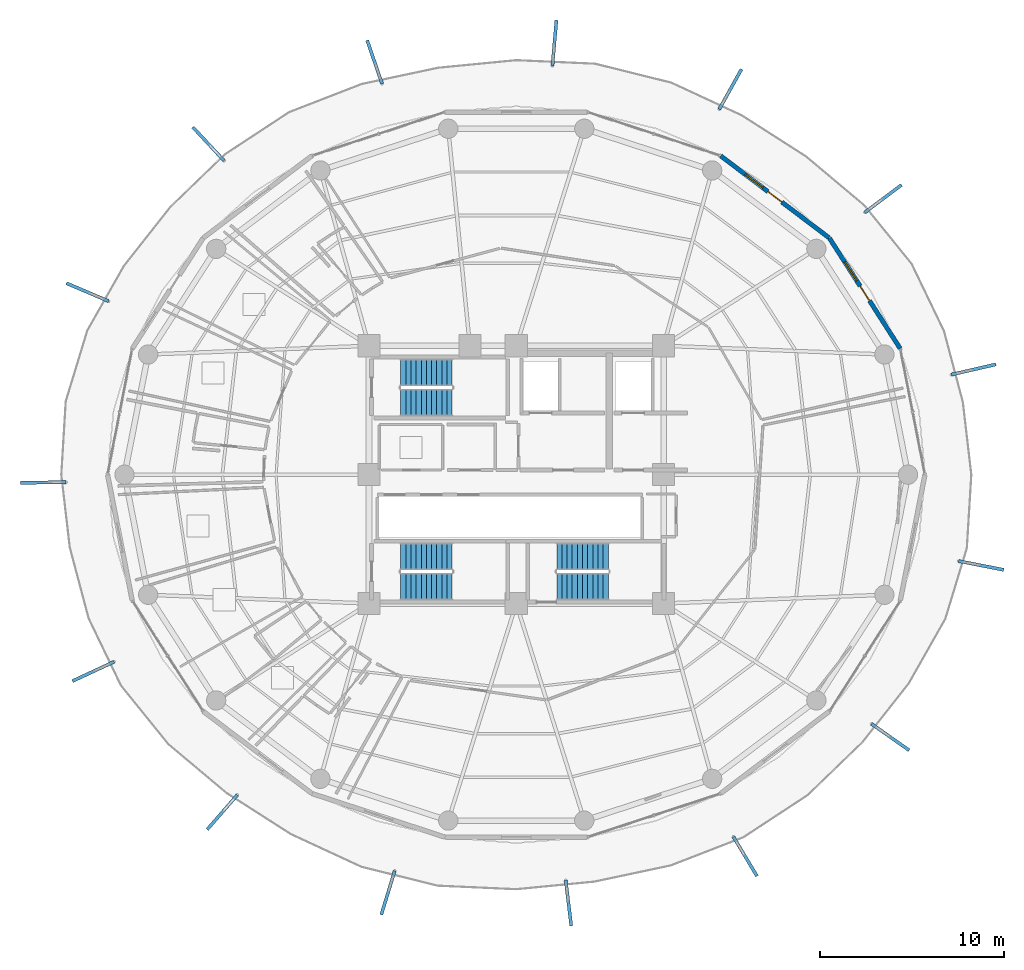
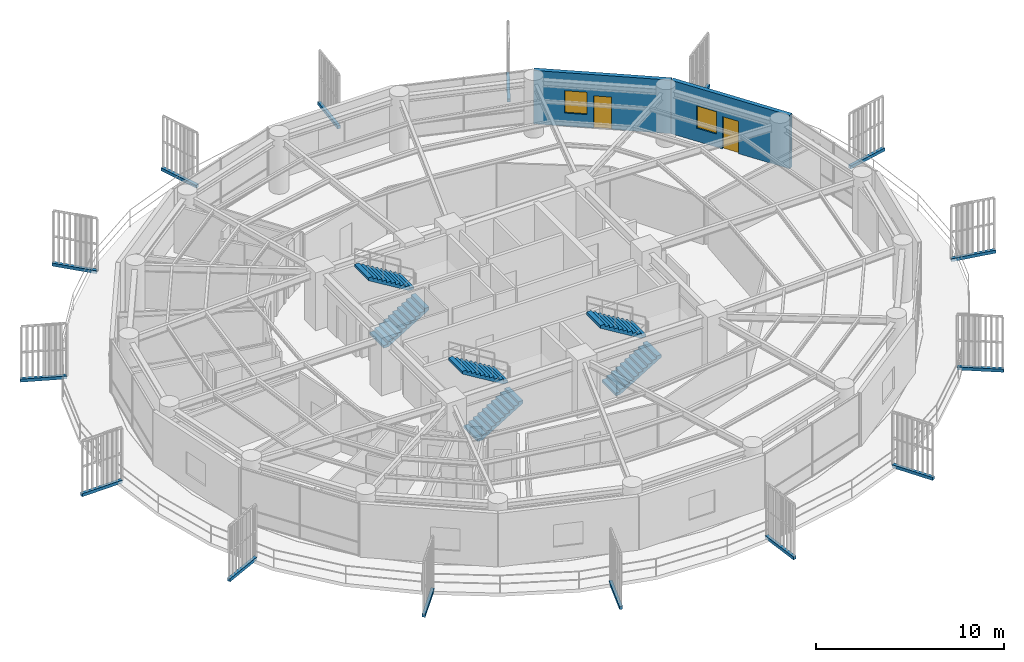
# One storey, part 27 of 31: 15 discrete accessories, 6 stair flights, 2 doors, 2 walls, 2 windows, 4 openings, 3 elements without a shape of their own.
"""IFC4 building model written with IfcOpenShell, lengths in metres."""

import ifcopenshell
import ifcopenshell.guid

model = None  # the IFC model being written
_history = None  # IfcOwnerHistory: only IFC2X3 demands one
_inside = {}  # id of a spatial element -> (the spatial element, [elements in it])
_under = {}  # id of a project, library or spatial element -> (it, [spatial elements below it])
_declared = {}  # id of a project -> (the project, [libraries it declares])
_typed = {}  # id of a type object -> (the type object, [elements of that type])
_made_of = {}  # id of a material, layer set ... -> (it, [elements and type objects made of it])


def new_model(schema):
    """Start an empty IFC model of exactly this schema.

    Asked for "IFC4X3", IfcOpenShell would pick the latest addendum, in which some entities
    have other attributes; the version numbers below select the first issue.
    IFC2X3 requires an IfcOwnerHistory on every rooted entity: one is made here for all.
    """
    global model, _history
    if schema == "IFC4X3":
        model = ifcopenshell.file(schema_version=(4, 3, 0, 0))
    else:
        model = ifcopenshell.file(schema=schema)
    _inside.clear()
    _under.clear()
    _declared.clear()
    _typed.clear()
    _made_of.clear()
    _history = None
    if model.schema == "IFC2X3":
        org = make("IfcOrganization", Name="unknown")
        user = make(
            "IfcPersonAndOrganization",
            ThePerson=make("IfcPerson", FamilyName="unknown"),
            TheOrganization=org,
        )
        app = make(
            "IfcApplication",
            ApplicationDeveloper=org,
            Version="unknown",
            ApplicationFullName="unknown",
            ApplicationIdentifier="unknown",
        )
        _history = make(
            "IfcOwnerHistory",
            OwningUser=user,
            OwningApplication=app,
            ChangeAction="ADDED",
            CreationDate=0,
        )
    return model


def make(cls, **values):
    """One entity of the class cls with the attributes given. An attribute that is None is left unset."""
    return model.create_entity(
        cls, **{name: value for name, value in values.items() if value is not None}
    )


def rooted(cls, **values):
    """An entity with a GlobalId (a new one), such as an element, a storey or a relation."""
    return make(cls, GlobalId=ifcopenshell.guid.new(), OwnerHistory=_history, **values)


def si_unit(unit_type, name, prefix=None):
    """IfcSIUnit, for example si_unit("LENGTHUNIT", "METRE", prefix="MILLI")."""
    return make("IfcSIUnit", UnitType=unit_type, Prefix=prefix, Name=name)


def assignment(units):
    """IfcUnitAssignment: the units of a project."""
    return None if units is None else make("IfcUnitAssignment", Units=units)


def point(xyz):
    """IfcCartesianPoint."""
    return None if xyz is None else make("IfcCartesianPoint", Coordinates=xyz)


def direction(xyz):
    """IfcDirection."""
    return None if xyz is None else make("IfcDirection", DirectionRatios=xyz)


def frame(location, z_axis=None, x_axis=None):
    """IfcAxis2Placement3D, a coordinate frame: its origin and axes. An axis left out is left unset."""
    return make(
        "IfcAxis2Placement3D",
        Location=point(location),
        Axis=direction(z_axis),
        RefDirection=direction(x_axis),
    )


def frame_2d(location, x_axis=None):
    """IfcAxis2Placement2D, a coordinate frame in the plane: its origin and x axis."""
    return make(
        "IfcAxis2Placement2D", Location=point(location), RefDirection=direction(x_axis)
    )


def origin():
    """The frame at (0, 0, 0) with its axes left unset."""
    return frame((0.0, 0.0, 0.0))


def origin_2d():
    """The frame at (0, 0) in the plane with its x axis left unset."""
    return frame_2d((0.0, 0.0))


def place(relative_to, where):
    """IfcLocalPlacement: puts the frame where relative to a parent placement (None: the world)."""
    return make(
        "IfcLocalPlacement", PlacementRelTo=relative_to, RelativePlacement=where
    )


def context(
    kind, dimensions, precision=None, world=None, true_north=None, identifier=None
):
    """IfcGeometricRepresentationContext, for example the 3D "Model" context."""
    return make(
        "IfcGeometricRepresentationContext",
        ContextIdentifier=identifier,
        ContextType=kind,
        CoordinateSpaceDimension=dimensions,
        Precision=precision,
        WorldCoordinateSystem=world,
        TrueNorth=true_north,
    )


def subcontext(parent, identifier, kind, view, scale=None):
    """IfcGeometricRepresentationSubContext, for example "Body" below "Model"."""
    return make(
        "IfcGeometricRepresentationSubContext",
        ContextIdentifier=identifier,
        ContextType=kind,
        ParentContext=parent,
        TargetScale=scale,
        TargetView=view,
    )


def project(units=None, contexts=None):
    """IfcProject with its units and contexts."""
    return rooted(
        "IfcProject",
        Name="project",
        RepresentationContexts=contexts,
        UnitsInContext=assignment(units),
    )


def spatial(cls, under=None, at=None, **own):
    """A site, building, storey or space (cls), placed at a placement, below another one or the project."""
    s = rooted(cls, ObjectPlacement=at, **own)
    if under is not None:
        _under.setdefault(under.id(), (under, []))[1].append(s)
    return s


def polyline(points):
    """IfcPolyline through the points."""
    return make("IfcPolyline", Points=[point(p) for p in points])


def profile(cls, at=None, kind="AREA", **sizes):
    """A parametric profile (cls). Its sizes go by their IFC names, for example OverallWidth=200.0."""
    return make(cls, ProfileType=kind, Position=at, **sizes)


def rectangle(**sizes):
    """IfcRectangleProfileDef."""
    return profile("IfcRectangleProfileDef", **sizes)


def outline(outer, holes=None, kind="AREA"):
    """IfcArbitraryClosedProfileDef: a profile drawn as a closed curve; with holes, ...WithVoids."""
    if holes is None:
        return make("IfcArbitraryClosedProfileDef", ProfileType=kind, OuterCurve=outer)
    return make(
        "IfcArbitraryProfileDefWithVoids",
        ProfileType=kind,
        OuterCurve=outer,
        InnerCurves=holes,
    )


def extrude(swept, where, along, depth):
    """IfcExtrudedAreaSolid: the profile swept, set in the frame where, extruded along a direction by depth."""
    return make(
        "IfcExtrudedAreaSolid",
        SweptArea=swept,
        Position=where,
        ExtrudedDirection=direction(along),
        Depth=depth,
    )


def shape(context_of_items, identifier, shape_type, items):
    """IfcShapeRepresentation: the items that make up one representation, for example the "Body"."""
    return make(
        "IfcShapeRepresentation",
        ContextOfItems=context_of_items,
        RepresentationIdentifier=identifier,
        RepresentationType=shape_type,
        Items=items,
    )


def source(mapping_origin, context_of_items, identifier, shape_type, items):
    """IfcRepresentationMap: a shape defined once, which mapped items show again and again."""
    return make(
        "IfcRepresentationMap",
        MappingOrigin=mapping_origin,
        MappedRepresentation=shape(context_of_items, identifier, shape_type, items),
    )


def transform(
    local_origin,
    x_axis=None,
    y_axis=None,
    z_axis=None,
    scale=None,
    scale2=None,
    scale3=None,
    uniform=True,
):
    """IfcCartesianTransformationOperator3D, or its non-uniform kind. x_axis, y_axis, z_axis: its Axis1, 2, 3."""
    if uniform:
        return make(
            "IfcCartesianTransformationOperator3D",
            Axis1=direction(x_axis),
            Axis2=direction(y_axis),
            LocalOrigin=point(local_origin),
            Scale=scale,
            Axis3=direction(z_axis),
        )
    return make(
        "IfcCartesianTransformationOperator3DnonUniform",
        Axis1=direction(x_axis),
        Axis2=direction(y_axis),
        LocalOrigin=point(local_origin),
        Scale=scale,
        Axis3=direction(z_axis),
        Scale2=scale2,
        Scale3=scale3,
    )


def mapped(mapping_source, mapping_target):
    """IfcMappedItem: shows the shape of a source again, moved by a transform."""
    return make(
        "IfcMappedItem", MappingSource=mapping_source, MappingTarget=mapping_target
    )


def material(Name=None, Category=None):
    """IfcMaterial."""
    return make("IfcMaterial", Name=Name, Category=Category)


def layer(
    of_material, thickness, ventilated=None, Name=None, Category=None, Priority=None
):
    """IfcMaterialLayer: one layer of a wall or slab, of a material (None: an air gap)."""
    return make(
        "IfcMaterialLayer",
        Material=of_material,
        LayerThickness=thickness,
        IsVentilated=ventilated,
        Name=Name,
        Category=Category,
        Priority=Priority,
    )


def layer_set(layers, Name=None):
    """IfcMaterialLayerSet."""
    return make("IfcMaterialLayerSet", MaterialLayers=layers, LayerSetName=Name)


def made_of(thing, what):
    """Note that an element or type object is made of a material, layer set ...; save() writes the relation."""
    if what is not None:
        _made_of.setdefault(what.id(), (what, []))[1].append(thing)
    return thing


def type_object(cls, material=None, **own):
    """A type object (cls), such as IfcWallType, which elements share."""
    return made_of(rooted(cls, **own), material)


def element(
    cls,
    number,
    at=None,
    inside=None,
    cuts=None,
    type_object=None,
    material=None,
    context=None,
    identifier="Body",
    shape_type=None,
    held_by="IfcProductDefinitionShape",
    body=None,
    shapes=None,
    **own,
):
    """One element of the class cls, such as IfcWall. Its Tag is "e" and its number.

    at: its placement. inside: the storey or other place that contains it. cuts: it is an
    opening in that element (IfcRelVoidsElement). A single representation is given by context,
    identifier, shape_type and body (its items); several are given by shapes. held_by: the class
    of the entity that holds the representations. save() writes the other relations.
    """
    e = rooted(cls, Tag="e%d" % number, ObjectPlacement=at, **own)
    if body is not None:
        shapes = [shape(context, identifier, shape_type, body)]
    if shapes is not None:
        e.Representation = make(held_by, Representations=shapes)
    if inside is not None:
        _inside.setdefault(inside.id(), (inside, []))[1].append(e)
    if cuts is not None:
        rooted(
            "IfcRelVoidsElement", RelatingBuildingElement=cuts, RelatedOpeningElement=e
        )
    if type_object is not None:
        _typed.setdefault(type_object.id(), (type_object, []))[1].append(e)
    return made_of(e, material)


def fill(opening, filler):
    """IfcRelFillsElement: the door or window that sits in an opening."""
    return rooted(
        "IfcRelFillsElement",
        RelatingOpeningElement=opening,
        RelatedBuildingElement=filler,
    )


def aggregate(whole, parts):
    """IfcRelAggregates: a whole, such as a stair, and the parts it consists of."""
    return rooted("IfcRelAggregates", RelatingObject=whole, RelatedObjects=parts)


def save(model, path):
    """Write the relations noted so far, then the file.

    IfcRelAggregates (storeys below a building ...), IfcRelContainedInSpatialStructure (elements
    in a storey), IfcRelDefinesByType, IfcRelAssociatesMaterial and IfcRelDeclares: one each for
    every whole, place, type object, material and project.
    """
    for whole, parts in _under.values():
        aggregate(whole, parts)
    for where, things in _inside.values():
        rooted(
            "IfcRelContainedInSpatialStructure",
            RelatedElements=things,
            RelatingStructure=where,
        )
    for kind, things in _typed.values():
        rooted("IfcRelDefinesByType", RelatedObjects=things, RelatingType=kind)
    for what, things in _made_of.values():
        rooted("IfcRelAssociatesMaterial", RelatedObjects=things, RelatingMaterial=what)
    for by, libraries in _declared.values():
        rooted("IfcRelDeclares", RelatingContext=by, RelatedDefinitions=libraries)
    model.write(path)


model = new_model("IFC4")

# Units and contexts
model_context = context("Model", 3, precision=1e-05, world=origin(), true_north=direction((0.0, 1.0)))
body_context = subcontext(model_context, "Body", "Model", "MODEL_VIEW")
ifc_project = project(units=[si_unit("LENGTHUNIT", "METRE"), si_unit("AREAUNIT", "SQUARE_METRE"), si_unit("VOLUMEUNIT", "CUBIC_METRE"), si_unit("PLANEANGLEUNIT", "RADIAN"), si_unit("MASSUNIT", "GRAM", prefix="KILO")], contexts=[model_context])

# Site, building, storey
site_placement = place(None, origin())
site = spatial("IfcSite", under=ifc_project, at=site_placement, CompositionType="ELEMENT")
building_placement = place(site_placement, origin())
building = spatial("IfcBuilding", under=site, at=building_placement, Name="Kelanora Arch Commons", CompositionType="ELEMENT")
storey_placement = place(building_placement, frame((0.0, 0.0, 200.699951171875)))
storey = spatial("IfcBuildingStorey", under=building, at=storey_placement, Name="L51", CompositionType="ELEMENT", Elevation=200.699951171875)

# Wall, openings, door, window
ifc_material_1 = material(Name="Precast concrete C40/50 upper-zone terracotta rainscreen", Category="masonry")
ifc_layer = layer(ifc_material_1, 0.239990234375)
ifc_layer_set = layer_set([ifc_layer], Name="Precast concrete C40/50 upper-zone terracotta rainscreen")
wall_type = type_object("IfcWallType", Name="W-EXT-TC2", PredefinedType="SOLIDWALL", material=ifc_layer_set)
wall_1_placement = place(storey_placement, frame((94.85302734375, 64.85302734375, 0.0), z_axis=(0.0, 0.0, 1.0), x_axis=(-0.539539512973, 0.841960280501, 0.0)))
wall_1 = element("IfcWall", 1, at=wall_1_placement, inside=storey, type_object=wall_type, Name="Terracotta Exterior Wall L51-B01", PredefinedType="SOLIDWALL", context=body_context, shape_type="SweptSolid", body=[
    extrude(rectangle(XDim=7.11474609375, YDim=0.239990234375, at=frame_2d((3.557373046875, 0.0))), origin(), (0.0, 0.0, 1.0), 3.47509765625),
])
opening_1_placement = place(wall_1_placement, frame((3.08203125, 0.0, 0.0)))
opening_1 = element("IfcOpeningElement", 2, at=opening_1_placement, cuts=wall_1, Name="Opening DB-01", PredefinedType="OPENING", context=body_context, shape_type="SweptSolid", body=[
    extrude(rectangle(XDim=0.949951171875, YDim=2.10009765625, at=frame_2d((0.47509765625, 1.050048828125))), frame((0.0, 0.1298828125, 0.0), z_axis=(0.0, -1.0, 0.0), x_axis=(1.0, 0.0, 0.0)), (0.0, 0.0, 1.0), 0.260009765625),
])
opening_2_placement = place(wall_1_placement, frame((4.382080078125, 0.0, 0.85009765625)))
opening_2 = element("IfcOpeningElement", 3, at=opening_2_placement, cuts=wall_1, Name="Opening WN-02", PredefinedType="OPENING", context=body_context, shape_type="SweptSolid", body=[
    extrude(rectangle(XDim=1.199951171875, YDim=1.449951171875, at=frame_2d((0.60009765625, 0.72509765625))), frame((0.0, 0.1298828125, 0.0), z_axis=(0.0, -1.0, 0.0), x_axis=(1.0, 0.0, 0.0)), (0.0, 0.0, 1.0), 0.260009765625),
])
ifc_material_2 = material(Name="Terracotta-aluminium thermally broken glazed balcony door", Category="masonry")
door_type = type_object("IfcDoorType", Name="D-BAL-10", OperationType="NOTDEFINED", PredefinedType="DOOR", material=ifc_material_2)
door_1_placement = place(opening_1_placement, frame((0.949951171875, 0.0, 0.0), z_axis=(0.0, 0.0, 1.0), x_axis=(-1.0, 0.0, 0.0)))
door_1 = element("IfcDoor", 4, at=door_1_placement, inside=storey, type_object=door_type, Name="Wave Balcony Door L51-B01", OperationType="SINGLE_SWING_LEFT", OverallHeight=2.10009765625, OverallWidth=0.949951171875, PredefinedType="DOOR", context=body_context, shape_type="SweptSolid", body=[
    extrude(rectangle(XDim=0.949951171875, YDim=2.10009765625, at=frame_2d((0.47509765625, 1.050048828125))), frame((0.0, 0.02490234375, 0.0), z_axis=(0.0, -1.0, 0.0), x_axis=(1.0, 0.0, 0.0)), (0.0, 0.0, 1.0), 0.050048828125),
])
fill(opening_1, door_1)
ifc_material_3 = material(Name="Terracotta-anodised aluminium frame with operable awning sash", Category="masonry")
window_type = type_object("IfcWindowType", Name="WIN-CL-12", PartitioningType="SINGLE_PANEL", PredefinedType="WINDOW", material=ifc_material_3)
window_1_placement = place(opening_2_placement, origin())
window_1 = element("IfcWindow", 5, at=window_1_placement, inside=storey, type_object=window_type, Name="Co-Living Operable Window L51-B01", OverallHeight=1.449951171875, OverallWidth=1.199951171875, PartitioningType="SINGLE_PANEL", PredefinedType="WINDOW", context=body_context, shape_type="SweptSolid", body=[
    extrude(rectangle(XDim=1.199951171875, YDim=1.449951171875, at=frame_2d((0.60009765625, 0.72509765625))), frame((0.0, 0.030029296875, 0.0), z_axis=(0.0, -1.0, 0.0), x_axis=(1.0, 0.0, 0.0)), (0.0, 0.0, 1.0), 0.06005859375),
])
fill(opening_2, window_1)

wall_2_placement = place(storey_placement, frame((90.994140625, 70.86474609375, 0.0), z_axis=(0.0, 0.0, 1.0), x_axis=(-0.797701674595, 0.603052268338, 0.0)))
wall_2 = element("IfcWall", 6, at=wall_2_placement, inside=storey, type_object=wall_type, Name="Terracotta Exterior Wall L51-B02", PredefinedType="SOLIDWALL", context=body_context, shape_type="SweptSolid", body=[
    extrude(rectangle(XDim=7.373779296875, YDim=0.239990234375, at=frame_2d((3.68701171875, 0.0))), origin(), (0.0, 0.0, 1.0), 3.47509765625),
])
opening_3_placement = place(wall_2_placement, frame((3.2119140625, 0.0, 0.0)))
opening_3 = element("IfcOpeningElement", 7, at=opening_3_placement, cuts=wall_2, Name="Opening DB-01", PredefinedType="OPENING", context=body_context, shape_type="SweptSolid", body=[
    extrude(rectangle(XDim=0.949951171875, YDim=2.10009765625, at=frame_2d((0.47509765625, 1.050048828125))), frame((0.0, 0.1298828125, 0.0), z_axis=(0.0, -1.0, 0.0), x_axis=(1.0, 0.0, 0.0)), (0.0, 0.0, 1.0), 0.260009765625),
])
opening_4_placement = place(wall_2_placement, frame((4.511962890625, 0.0, 0.85009765625)))
opening_4 = element("IfcOpeningElement", 8, at=opening_4_placement, cuts=wall_2, Name="Opening WN-02", PredefinedType="OPENING", context=body_context, shape_type="SweptSolid", body=[
    extrude(rectangle(XDim=1.199951171875, YDim=1.449951171875, at=frame_2d((0.60009765625, 0.72509765625))), frame((0.0, 0.1298828125, 0.0), z_axis=(0.0, -1.0, 0.0), x_axis=(1.0, 0.0, 0.0)), (0.0, 0.0, 1.0), 0.260009765625),
])
door_2_placement = place(opening_3_placement, frame((0.949951171875, 0.0, 0.0), z_axis=(0.0, 0.0, 1.0), x_axis=(-1.0, 0.0, 0.0)))
door_2 = element("IfcDoor", 9, at=door_2_placement, inside=storey, type_object=door_type, Name="Wave Balcony Door L51-B02", OperationType="SINGLE_SWING_RIGHT", OverallHeight=2.10009765625, OverallWidth=0.949951171875, PredefinedType="DOOR", context=body_context, shape_type="SweptSolid", body=[
    extrude(rectangle(XDim=0.949951171875, YDim=2.10009765625, at=frame_2d((0.47509765625, 1.050048828125))), frame((0.0, 0.02490234375, 0.0), z_axis=(0.0, -1.0, 0.0), x_axis=(1.0, 0.0, 0.0)), (0.0, 0.0, 1.0), 0.050048828125),
])
fill(opening_3, door_2)
window_2_placement = place(opening_4_placement, origin())
window_2 = element("IfcWindow", 10, at=window_2_placement, inside=storey, type_object=window_type, Name="Co-Living Operable Window L51-B02", OverallHeight=1.449951171875, OverallWidth=1.199951171875, PartitioningType="SINGLE_PANEL", PredefinedType="WINDOW", context=body_context, shape_type="SweptSolid", body=[
    extrude(rectangle(XDim=1.199951171875, YDim=1.449951171875, at=frame_2d((0.60009765625, 0.72509765625))), frame((0.0, 0.030029296875, 0.0), z_axis=(0.0, -1.0, 0.0), x_axis=(1.0, 0.0, 0.0)), (0.0, 0.0, 1.0), 0.06005859375),
])
fill(opening_4, window_2)

# Stair, stair flights
ifc_material_4 = material(Name="Concrete C40/50", Category="concrete")
stair_type = type_object("IfcStairType", Name="STR-DL-375", PredefinedType="HALF_TURN_STAIR", material=ifc_material_4)
stair_1_placement = place(storey_placement, origin())
stair_1 = element("IfcStair", 11, at=stair_1_placement, inside=storey, type_object=stair_type, Name="L51 ST-T1", PredefinedType="HALF_TURN_STAIR")
stair_flight_type = type_object("IfcStairFlightType", Name="FLT-DL-375", PredefinedType="STRAIGHT", material=ifc_material_4)
stair_flight_1_placement = place(storey_placement, frame((67.719970703125, 61.919921875, 0.0), z_axis=(0.0, 0.0, 1.0), x_axis=(1.0, 0.0, 0.0)))
stair_flight_1 = element("IfcStairFlight", 12, at=stair_flight_1_placement, type_object=stair_flight_type, Name="ST-T1 flight 1", NumberOfRisers=11, NumberOfTreads=10, PredefinedType="STRAIGHT", RiserHeight=0.170454545, TreadLength=0.28, context=body_context, shape_type="SweptSolid", body=[
    extrude(outline(polyline([(0.0, 0.0), (0.0, 0.17041015625), (0.280029296875, 0.17041015625), (0.280029296875, 0.3408203125), (0.56005859375, 0.3408203125), (0.56005859375, 0.511474609375), (0.840087890625, 0.511474609375), (0.840087890625, 0.681884765625), (1.1201171875, 0.681884765625), (1.1201171875, 0.852294921875), (1.39990234375, 0.852294921875), (1.39990234375, 1.022705078125), (1.679931640625, 1.022705078125), (1.679931640625, 1.193115234375), (1.9599609375, 1.193115234375), (1.9599609375, 1.363525390625), (2.239990234375, 1.363525390625), (2.239990234375, 1.5341796875), (2.52001953125, 1.5341796875), (2.52001953125, 1.70458984375), (2.800048828125, 1.70458984375), (2.800048828125, 1.875), (2.800048828125, 1.529052734375), (0.288330078125, 0.0), (0.0, 0.0)])), frame((0.0, 0.739990234375, 0.0), z_axis=(0.0, -1.0, 0.0), x_axis=(1.0, 0.0, 0.0)), (0.0, 0.0, 1.0), 1.47998046875),
])
stair_flight_2_placement = place(storey_placement, frame((70.52001953125, 63.550048828125, 1.875), z_axis=(0.0, 0.0, 1.0), x_axis=(-1.0, 0.0, 0.0)))
stair_flight_2 = element("IfcStairFlight", 13, at=stair_flight_2_placement, type_object=stair_flight_type, Name="ST-T1 flight 2", NumberOfRisers=11, NumberOfTreads=10, PredefinedType="STRAIGHT", RiserHeight=0.170454545, TreadLength=0.28, context=body_context, shape_type="SweptSolid", body=[
    extrude(outline(polyline([(0.0, 0.0), (0.0, 0.17041015625), (0.280029296875, 0.17041015625), (0.280029296875, 0.3408203125), (0.56005859375, 0.3408203125), (0.56005859375, 0.511474609375), (0.840087890625, 0.511474609375), (0.840087890625, 0.681884765625), (1.1201171875, 0.681884765625), (1.1201171875, 0.852294921875), (1.39990234375, 0.852294921875), (1.39990234375, 1.022705078125), (1.679931640625, 1.022705078125), (1.679931640625, 1.193115234375), (1.9599609375, 1.193115234375), (1.9599609375, 1.363525390625), (2.239990234375, 1.363525390625), (2.239990234375, 1.5341796875), (2.52001953125, 1.5341796875), (2.52001953125, 1.70458984375), (2.800048828125, 1.70458984375), (2.800048828125, 1.875), (2.800048828125, 1.529052734375), (0.288330078125, 0.0), (0.0, 0.0)])), frame((0.0, 0.739990234375, 0.0), z_axis=(0.0, -1.0, 0.0), x_axis=(1.0, 0.0, 0.0)), (0.0, 0.0, 1.0), 1.47998046875),
])
aggregate(stair_1, [stair_flight_1, stair_flight_2])

stair_2_placement = place(storey_placement, origin())
stair_2 = element("IfcStair", 14, at=stair_2_placement, inside=storey, type_object=stair_type, Name="L51 ST-T2", PredefinedType="HALF_TURN_STAIR")
stair_flight_3_placement = place(storey_placement, frame((76.199951171875, 51.919921875, 0.0), z_axis=(0.0, 0.0, 1.0), x_axis=(1.0, 0.0, 0.0)))
stair_flight_3 = element("IfcStairFlight", 15, at=stair_flight_3_placement, type_object=stair_flight_type, Name="ST-T2 flight 1", NumberOfRisers=11, NumberOfTreads=10, PredefinedType="STRAIGHT", RiserHeight=0.170454545, TreadLength=0.28, context=body_context, shape_type="SweptSolid", body=[
    extrude(outline(polyline([(0.0, 0.0), (0.0, 0.17041015625), (0.280029296875, 0.17041015625), (0.280029296875, 0.3408203125), (0.56005859375, 0.3408203125), (0.56005859375, 0.511474609375), (0.840087890625, 0.511474609375), (0.840087890625, 0.681884765625), (1.1201171875, 0.681884765625), (1.1201171875, 0.852294921875), (1.39990234375, 0.852294921875), (1.39990234375, 1.022705078125), (1.679931640625, 1.022705078125), (1.679931640625, 1.193115234375), (1.9599609375, 1.193115234375), (1.9599609375, 1.363525390625), (2.239990234375, 1.363525390625), (2.239990234375, 1.5341796875), (2.52001953125, 1.5341796875), (2.52001953125, 1.70458984375), (2.800048828125, 1.70458984375), (2.800048828125, 1.875), (2.800048828125, 1.529052734375), (0.288330078125, 0.0), (0.0, 0.0)])), frame((0.0, 0.739990234375, 0.0), z_axis=(0.0, -1.0, 0.0), x_axis=(1.0, 0.0, 0.0)), (0.0, 0.0, 1.0), 1.47998046875),
])
stair_flight_4_placement = place(storey_placement, frame((79.0, 53.550048828125, 1.875), z_axis=(0.0, 0.0, 1.0), x_axis=(-1.0, 0.0, 0.0)))
stair_flight_4 = element("IfcStairFlight", 16, at=stair_flight_4_placement, type_object=stair_flight_type, Name="ST-T2 flight 2", NumberOfRisers=11, NumberOfTreads=10, PredefinedType="STRAIGHT", RiserHeight=0.170454545, TreadLength=0.28, context=body_context, shape_type="SweptSolid", body=[
    extrude(outline(polyline([(0.0, 0.0), (0.0, 0.17041015625), (0.280029296875, 0.17041015625), (0.280029296875, 0.3408203125), (0.56005859375, 0.3408203125), (0.56005859375, 0.511474609375), (0.840087890625, 0.511474609375), (0.840087890625, 0.681884765625), (1.1201171875, 0.681884765625), (1.1201171875, 0.852294921875), (1.39990234375, 0.852294921875), (1.39990234375, 1.022705078125), (1.679931640625, 1.022705078125), (1.679931640625, 1.193115234375), (1.9599609375, 1.193115234375), (1.9599609375, 1.363525390625), (2.239990234375, 1.363525390625), (2.239990234375, 1.5341796875), (2.52001953125, 1.5341796875), (2.52001953125, 1.70458984375), (2.800048828125, 1.70458984375), (2.800048828125, 1.875), (2.800048828125, 1.529052734375), (0.288330078125, 0.0), (0.0, 0.0)])), frame((0.0, 0.739990234375, 0.0), z_axis=(0.0, -1.0, 0.0), x_axis=(1.0, 0.0, 0.0)), (0.0, 0.0, 1.0), 1.47998046875),
])
aggregate(stair_2, [stair_flight_3, stair_flight_4])

stair_3_placement = place(storey_placement, origin())
stair_3 = element("IfcStair", 17, at=stair_3_placement, inside=storey, type_object=stair_type, Name="L51 ST-T3", PredefinedType="HALF_TURN_STAIR")
stair_flight_5_placement = place(storey_placement, frame((67.719970703125, 51.919921875, 0.0), z_axis=(0.0, 0.0, 1.0), x_axis=(1.0, 0.0, 0.0)))
stair_flight_5 = element("IfcStairFlight", 18, at=stair_flight_5_placement, type_object=stair_flight_type, Name="ST-T3 flight 1", NumberOfRisers=11, NumberOfTreads=10, PredefinedType="STRAIGHT", RiserHeight=0.170454545, TreadLength=0.28, context=body_context, shape_type="SweptSolid", body=[
    extrude(outline(polyline([(0.0, 0.0), (0.0, 0.17041015625), (0.280029296875, 0.17041015625), (0.280029296875, 0.3408203125), (0.56005859375, 0.3408203125), (0.56005859375, 0.511474609375), (0.840087890625, 0.511474609375), (0.840087890625, 0.681884765625), (1.1201171875, 0.681884765625), (1.1201171875, 0.852294921875), (1.39990234375, 0.852294921875), (1.39990234375, 1.022705078125), (1.679931640625, 1.022705078125), (1.679931640625, 1.193115234375), (1.9599609375, 1.193115234375), (1.9599609375, 1.363525390625), (2.239990234375, 1.363525390625), (2.239990234375, 1.5341796875), (2.52001953125, 1.5341796875), (2.52001953125, 1.70458984375), (2.800048828125, 1.70458984375), (2.800048828125, 1.875), (2.800048828125, 1.529052734375), (0.288330078125, 0.0), (0.0, 0.0)])), frame((0.0, 0.739990234375, 0.0), z_axis=(0.0, -1.0, 0.0), x_axis=(1.0, 0.0, 0.0)), (0.0, 0.0, 1.0), 1.47998046875),
])
stair_flight_6_placement = place(storey_placement, frame((70.52001953125, 53.550048828125, 1.875), z_axis=(0.0, 0.0, 1.0), x_axis=(-1.0, 0.0, 0.0)))
stair_flight_6 = element("IfcStairFlight", 19, at=stair_flight_6_placement, type_object=stair_flight_type, Name="ST-T3 flight 2", NumberOfRisers=11, NumberOfTreads=10, PredefinedType="STRAIGHT", RiserHeight=0.170454545, TreadLength=0.28, context=body_context, shape_type="SweptSolid", body=[
    extrude(outline(polyline([(0.0, 0.0), (0.0, 0.17041015625), (0.280029296875, 0.17041015625), (0.280029296875, 0.3408203125), (0.56005859375, 0.3408203125), (0.56005859375, 0.511474609375), (0.840087890625, 0.511474609375), (0.840087890625, 0.681884765625), (1.1201171875, 0.681884765625), (1.1201171875, 0.852294921875), (1.39990234375, 0.852294921875), (1.39990234375, 1.022705078125), (1.679931640625, 1.022705078125), (1.679931640625, 1.193115234375), (1.9599609375, 1.193115234375), (1.9599609375, 1.363525390625), (2.239990234375, 1.363525390625), (2.239990234375, 1.5341796875), (2.52001953125, 1.5341796875), (2.52001953125, 1.70458984375), (2.800048828125, 1.70458984375), (2.800048828125, 1.875), (2.800048828125, 1.529052734375), (0.288330078125, 0.0), (0.0, 0.0)])), frame((0.0, 0.739990234375, 0.0), z_axis=(0.0, -1.0, 0.0), x_axis=(1.0, 0.0, 0.0)), (0.0, 0.0, 1.0), 1.47998046875),
])
aggregate(stair_3, [stair_flight_5, stair_flight_6])

# Discrete accessories
ifc_material_5 = material(Name="Stainless steel 316 marine fin bracket", Category="steel")
discrete_accessory_type = type_object("IfcDiscreteAccessoryType", Name="ACC-FIN-BRK", PredefinedType="BRACKET", material=ifc_material_5)
shared_shape = source(origin(), body_context, "Body", "SweptSolid", [
    extrude(rectangle(XDim=2.48876953125, YDim=0.179931640625, at=origin_2d()), origin(), (0.0, 0.0, 1.0), 0.199951171875),
])
for number, where, z_axis, x_axis, name in (
    (20, (94.318115234375, 43.74560546875, -0.16015625), (0.0, 0.0, 1.0), (0.818651192576, -0.574291062871, 0.0), "Sweeping Fin Cantilever Spine Bracket L51-00"),
    (21, (99.25048828125, 53.068115234375, -0.16015625), (0.0, 0.0, 1.0), (0.981460297432, -0.191665553932, 0.0), "Sweeping Fin Cantilever Spine Bracket L51-01"),
    (22, (98.844970703125, 63.712158203125, -0.16015625), (0.0, 0.0, 1.0), (0.974566000575, 0.224100670509, 0.0), "Sweeping Fin Cantilever Spine Bracket L51-02"),
    (23, (93.9296875, 72.98974609375, -0.16015625), (0.0, 0.0, 1.0), (0.799160388565, 0.601117853128, 0.0), "Sweeping Fin Cantilever Spine Bracket L51-03"),
    (24, (85.6279296875, 78.932373046875, -0.16015625), (0.0, 0.0, 1.0), (0.485572685227, 0.874196297957, 0.0), "Sweeping Fin Cantilever Spine Bracket L51-04"),
    (25, (76.07275390625, 81.447265625, -0.16015625), (0.0, 0.0, 1.0), (0.088025053325, 0.996118261045, 0.0), "Sweeping Fin Cantilever Spine Bracket L51-05"),
    (26, (66.30615234375, 80.410888671875, -0.16015625), (0.0, 0.0, 1.0), (-0.324742909981, 0.945802327348, 0.0), "Sweeping Fin Cantilever Spine Bracket L51-06"),
    (27, (57.27978515625, 75.962890625, -0.16015625), (0.0, 0.0, 1.0), (-0.681359873953, 0.731948578909, 0.0), "Sweeping Fin Cantilever Spine Bracket L51-07"),
    (28, (50.7080078125, 67.911865234375, -0.16015625), (0.0, 0.0, 1.0), (-0.920163525759, 0.391534271632, 0.0), "Sweeping Fin Cantilever Spine Bracket L51-08"),
    (29, (48.3076171875, 57.57470703125, -0.16015625), (0.0, 0.0, 1.0), (-0.999862544538, -0.016579868188, 0.0), "Sweeping Fin Cantilever Spine Bracket L51-09"),
    (30, (51.022705078125, 47.310791015625, -0.16015625), (0.0, 0.0, 1.0), (-0.906676245901, -0.421827198174, 0.0), "Sweeping Fin Cantilever Spine Bracket L51-10"),
    (31, (58.02880859375, 39.660888671875, -0.16015625), (0.0, 0.0, 1.0), (-0.656717387452, -0.754136773416, 0.0), "Sweeping Fin Cantilever Spine Bracket L51-11"),
    (32, (67.034423828125, 35.290283203125, -0.16015625), (0.0, 0.0, 1.0), (-0.293206126622, -0.956049249417, 0.0), "Sweeping Fin Cantilever Spine Bracket L51-12"),
    (33, (76.835693359375, 34.73046875, -0.16015625), (0.0, 0.0, 1.0), (0.121003137194, -0.992652124759, 0.0), "Sweeping Fin Cantilever Spine Bracket L51-13"),
    (34, (86.43505859375, 37.261962890625, -0.16015625), (0.0, 0.0, 1.0), (0.514289859311, -0.857616429769, 0.0), "Sweeping Fin Cantilever Spine Bracket L51-14"),
):
    element("IfcDiscreteAccessory", number, at=place(storey_placement, frame(where, z_axis=z_axis, x_axis=x_axis)), inside=storey, type_object=discrete_accessory_type, Name=name, PredefinedType="BRACKET", context=body_context, shape_type="MappedRepresentation", body=[
        mapped(shared_shape, transform((0.0, 0.0, 0.0), scale=1.0)),
    ])

save(model, "model.ifc")
